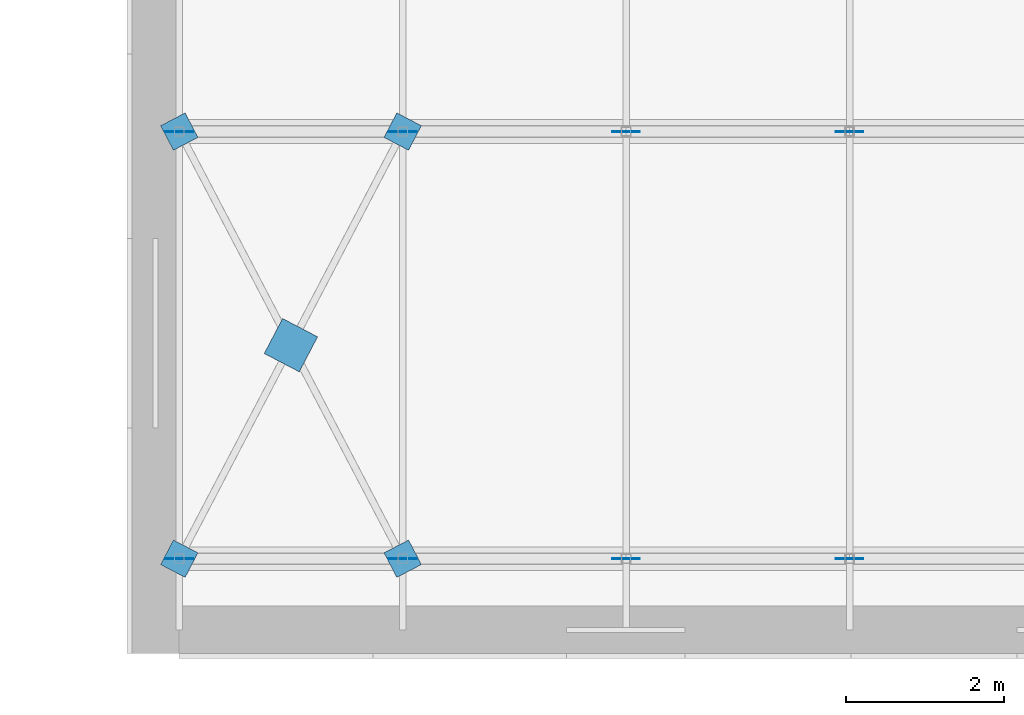
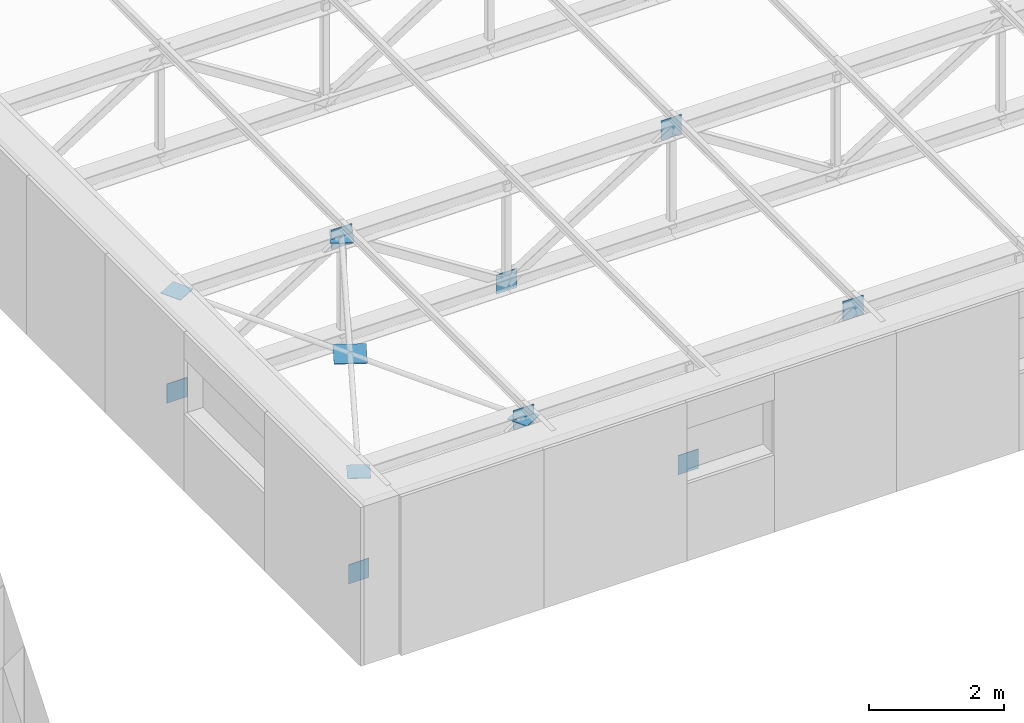
# One storey, part 91 of 132: 13 discrete accessories.
"""IFC4 building model written with IfcOpenShell, lengths in metres."""

from ifc_helpers import new_model, si_unit, direction, frame, origin, origin_2d, place, context, subcontext, project, spatial, rectangle, extrude, material, layer, layer_set, type_object, element, save


model = new_model("IFC4")

# Units and contexts
model_context = context("Model", 3, precision=1e-05, world=origin(), true_north=direction((0.0, 1.0)))
body_context = subcontext(model_context, "Body", "Model", "MODEL_VIEW")
ifc_project = project(units=[si_unit("LENGTHUNIT", "METRE"), si_unit("AREAUNIT", "SQUARE_METRE"), si_unit("VOLUMEUNIT", "CUBIC_METRE"), si_unit("PLANEANGLEUNIT", "RADIAN"), si_unit("MASSUNIT", "GRAM", prefix="KILO")], contexts=[model_context])

# Site, building, storey
site_placement = place(None, origin())
site = spatial("IfcSite", under=ifc_project, at=site_placement, CompositionType="ELEMENT")
building_placement = place(site_placement, origin())
building = spatial("IfcBuilding", under=site, at=building_placement, Name="Lunette Opera House", CompositionType="ELEMENT")
storey_placement = place(building_placement, frame((0.0, 0.0, 17.0)))
storey = spatial("IfcBuildingStorey", under=building, at=storey_placement, Name="L03", CompositionType="ELEMENT", Elevation=17.0)

# Discrete accessories
ifc_material_1 = material(Name="Steel S355", Category="steel")
ifc_layer_1 = layer(ifc_material_1, 0.011962890625)
ifc_layer_set_1 = layer_set([ifc_layer_1], Name="Steel S355")
discrete_accessory_type_1 = type_object("IfcDiscreteAccessoryType", Name="BRACE GUSSET PLATE 12", PredefinedType="USERDEFINED", material=ifc_layer_set_1)
for number, where, z_axis, x_axis, name in (
    (1, (60.60009765625, 97.199951171875, 0.599853515625), (0.0, 0.0, 1.0), (1.0, 0.0, 0.0), "Gusset plate 46"),
    (2, (63.425048828125, 97.199951171875, 2.39990234375), (0.0, 0.0, 1.0), (1.0, 0.0, 0.0), "Gusset plate 47"),
    (3, (66.25, 97.199951171875, 0.599853515625), (0.0, 0.0, 1.0), (1.0, 0.0, 0.0), "Gusset plate 48"),
    (4, (69.074951171875, 97.199951171875, 2.39990234375), (0.0, 0.0, 1.0), (1.0, 0.0, 0.0), "Gusset plate 49"),
    (5, (60.60009765625, 102.60009765625, 0.599853515625), (0.0, 0.0, 1.0), (1.0, 0.0, 0.0), "Gusset plate 55"),
    (6, (63.425048828125, 102.60009765625, 2.39990234375), (0.0, 0.0, 1.0), (1.0, 0.0, 0.0), "Gusset plate 56"),
    (7, (66.25, 102.60009765625, 0.599853515625), (0.0, 0.0, 1.0), (1.0, 0.0, 0.0), "Gusset plate 57"),
    (8, (69.074951171875, 102.60009765625, 2.39990234375), (0.0, 0.0, 1.0), (1.0, 0.0, 0.0), "Gusset plate 58"),
):
    element("IfcDiscreteAccessory", number, at=place(storey_placement, frame(where, z_axis=z_axis, x_axis=x_axis)), inside=storey, type_object=discrete_accessory_type_1, Name=name, ObjectType="GUSSET PLATE", PredefinedType="USERDEFINED", context=body_context, shape_type="SweptSolid", body=[
        extrude(rectangle(XDim=0.35009765625, YDim=0.011962890625, at=origin_2d()), origin(), (0.0, 0.0, 1.0), 0.35009765625),
    ])
for number, where, z_axis, x_axis, name in (
    (9, (60.60009765625, 97.199951171875, 2.56884765625), (0.0, 0.0, 1.0), (0.463546584757, 0.886072549942, 0.0), "Gusset plate 91"),
    (10, (63.425048828125, 102.60009765625, 2.56884765625), (0.0, 0.0, 1.0), (0.463546584757, 0.886072549942, 0.0), "Gusset plate 92"),
    (11, (63.425048828125, 97.199951171875, 2.56884765625), (0.0, 0.0, 1.0), (-0.463676484795, 0.886004580941, 0.0), "Gusset plate 330"),
    (12, (60.60009765625, 102.60009765625, 2.56884765625), (0.0, 0.0, 1.0), (-0.463418221361, 0.886139691082, 0.0), "Gusset plate 331"),
):
    element("IfcDiscreteAccessory", number, at=place(storey_placement, frame(where, z_axis=z_axis, x_axis=x_axis)), inside=storey, type_object=discrete_accessory_type_1, Name=name, ObjectType="GUSSET PLATE", PredefinedType="USERDEFINED", context=body_context, shape_type="SweptSolid", body=[
        extrude(rectangle(XDim=0.35009765625, YDim=0.35009765625, at=origin_2d()), origin(), (0.0, 0.0, 1.0), 0.011962890625),
    ])
ifc_material_2 = material(Name="Steel S355", Category="steel")
ifc_layer_2 = layer(ifc_material_2, 0.01611328125)
ifc_layer_set_2 = layer_set([ifc_layer_2], Name="Steel S355")
discrete_accessory_type_2 = type_object("IfcDiscreteAccessoryType", Name="X-BRACE NODE PLATE 16", PredefinedType="USERDEFINED", material=ifc_layer_set_2)
discrete_accessory_placement = place(storey_placement, frame((62.011962890625, 99.89990234375, 2.56689453125), z_axis=(0.0, 0.0, 1.0), x_axis=(0.463546584757, 0.886072549942, 0.0)))
element("IfcDiscreteAccessory", 13, at=discrete_accessory_placement, inside=storey, type_object=discrete_accessory_type_2, Name="X-brace node plate 1", ObjectType="NODE PLATE", PredefinedType="USERDEFINED", context=body_context, shape_type="SweptSolid", body=[
    extrude(rectangle(XDim=0.5, YDim=0.5, at=origin_2d()), origin(), (0.0, 0.0, 1.0), 0.01611328125),
])

save(model, "model.ifc")
